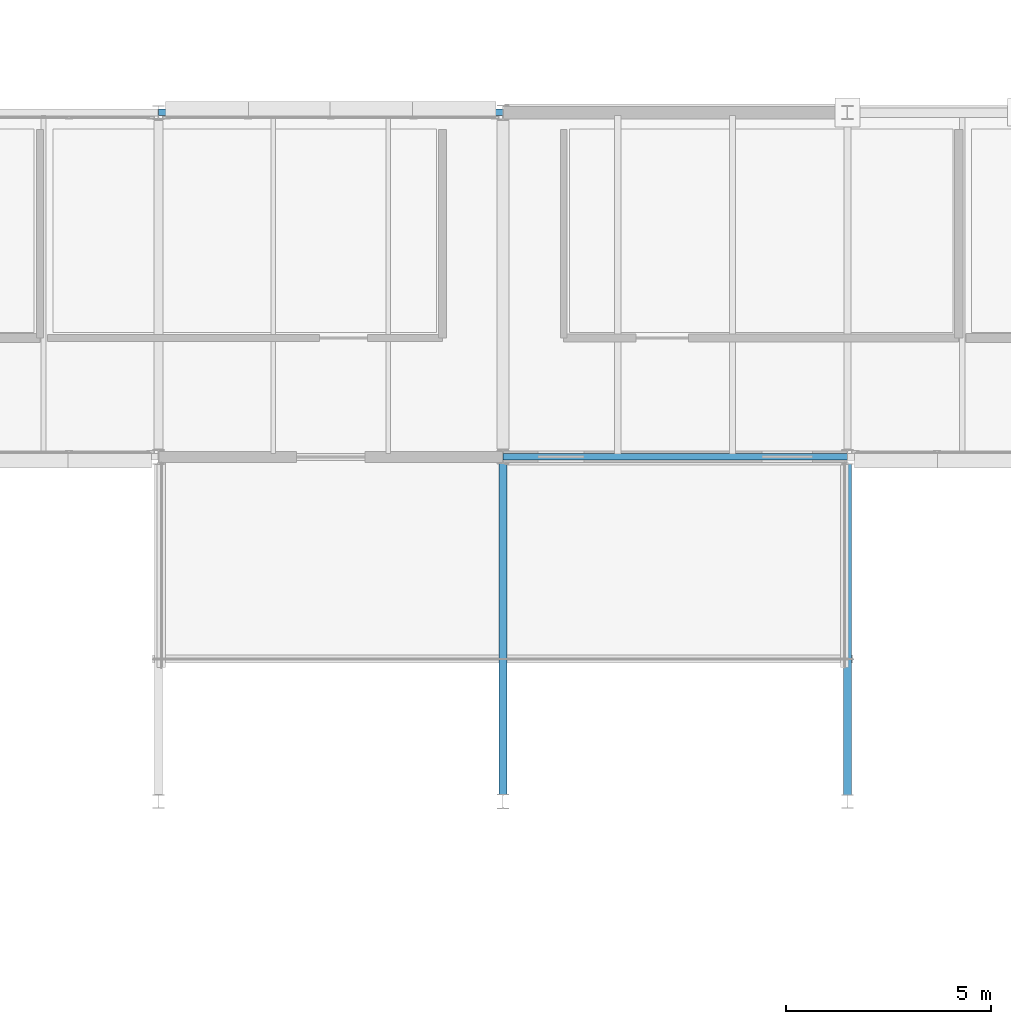
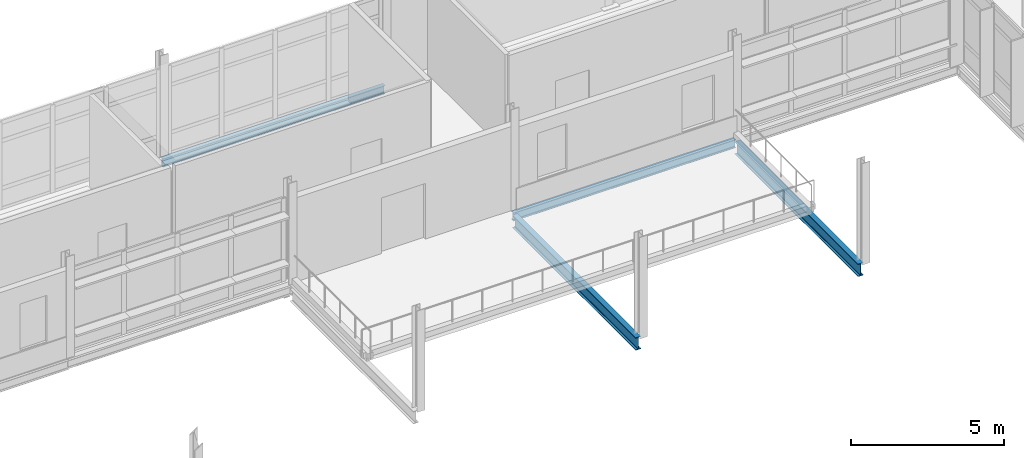
# One storey, part 29 of 57: 4 beams.
"""IFC4 building model written with IfcOpenShell, lengths in metres."""

from ifc_helpers import new_model, si_unit, direction, frame, origin, origin_2d, place, context, subcontext, project, spatial, i_section, extrude, material, material_profile, profile_set, type_object, element, save


model = new_model("IFC4")

# Units and contexts
model_context = context("Model", 3, precision=1e-05, world=origin(), true_north=direction((0.0, 1.0)))
body_context = subcontext(model_context, "Body", "Model", "MODEL_VIEW")
ifc_project = project(units=[si_unit("LENGTHUNIT", "METRE"), si_unit("AREAUNIT", "SQUARE_METRE"), si_unit("VOLUMEUNIT", "CUBIC_METRE"), si_unit("PLANEANGLEUNIT", "RADIAN"), si_unit("MASSUNIT", "GRAM", prefix="KILO")], contexts=[model_context])

# Site, building, storey
site_placement = place(None, origin())
site = spatial("IfcSite", under=ifc_project, at=site_placement, CompositionType="ELEMENT")
building_placement = place(site_placement, origin())
building = spatial("IfcBuilding", under=site, at=building_placement, Name="Mersafa Astral City Hall", CompositionType="ELEMENT")
storey_placement = place(building_placement, frame((0.0, 0.0, 26.10009765625)))
storey = spatial("IfcBuildingStorey", under=building, at=storey_placement, Name="L06", CompositionType="ELEMENT", Elevation=26.10009765625)

# Beams
ifc_material = material(Name="Steel S355", Category="steel")
ifc_material_profile_1 = material_profile(ifc_material, i_section(OverallWidth=0.159912109375, OverallDepth=0.330078125, WebThickness=0.007568359375, FlangeThickness=0.011474609375, FilletRadius=0.01806640625, at=origin_2d()), Name="IPE 330")
ifc_profile_set_1 = profile_set([ifc_material_profile_1], Name="Steel S355")
beam_type_1 = type_object("IfcBeamType", Name="STR-BM-SPANDREL-IPE330", PredefinedType="SPANDREL", material=ifc_profile_set_1)
for number, where, z_axis, x_axis, name in (
    (1, (126.0029296875, 117.60009765625, -0.340087890625), (1.0, 0.0, 0.0), (0.0, 1.0, 0.0), "L06 Primary girder X 15-14"),
    (2, (117.60302734375, 126.0, -0.340087890625), (1.0, 0.0, 0.0), (0.0, 1.0, 0.0), "L06 Primary girder X 14-15"),
):
    element("IfcBeam", number, at=place(storey_placement, frame(where, z_axis=z_axis, x_axis=x_axis)), inside=storey, type_object=beam_type_1, Name=name, PredefinedType="SPANDREL", context=body_context, shape_type="SweptSolid", body=[
        extrude(i_section(OverallWidth=0.159912109375, OverallDepth=0.330078125, WebThickness=0.007568359375, FlangeThickness=0.011474609375, FilletRadius=0.01806640625, at=origin_2d()), origin(), (0.0, 0.0, 1.0), 8.39404296875),
    ])
ifc_material_profile_2 = material_profile(ifc_material, i_section(OverallWidth=0.199951171875, OverallDepth=0.5, WebThickness=0.01025390625, FlangeThickness=0.01611328125, FilletRadius=0.02099609375, at=origin_2d()), Name="IPE 500")
ifc_profile_set_2 = profile_set([ifc_material_profile_2], Name="Steel S355")
beam_type_2 = type_object("IfcBeamType", Name="STR-BM-TER-IPE500", PredefinedType="BEAM", material=ifc_profile_set_2)
for number, where, z_axis, x_axis, name in (
    (3, (126.0, 109.360107421875, -0.425048828125), (0.0, 1.0, 0.0), (-1.0, 0.0, 0.0), "L06 Terrace support girder 2"),
    (4, (134.39990234375, 109.360107421875, -0.425048828125), (0.0, 1.0, 0.0), (-1.0, 0.0, 0.0), "L06 Terrace support girder 3"),
):
    element("IfcBeam", number, at=place(storey_placement, frame(where, z_axis=z_axis, x_axis=x_axis)), inside=storey, type_object=beam_type_2, Name=name, PredefinedType="BEAM", context=body_context, shape_type="SweptSolid", body=[
        extrude(i_section(OverallWidth=0.199951171875, OverallDepth=0.5, WebThickness=0.01025390625, FlangeThickness=0.01611328125, FilletRadius=0.02099609375, at=origin_2d()), origin(), (0.0, 0.0, 1.0), 8.079833984375),
    ])

save(model, "model.ifc")
